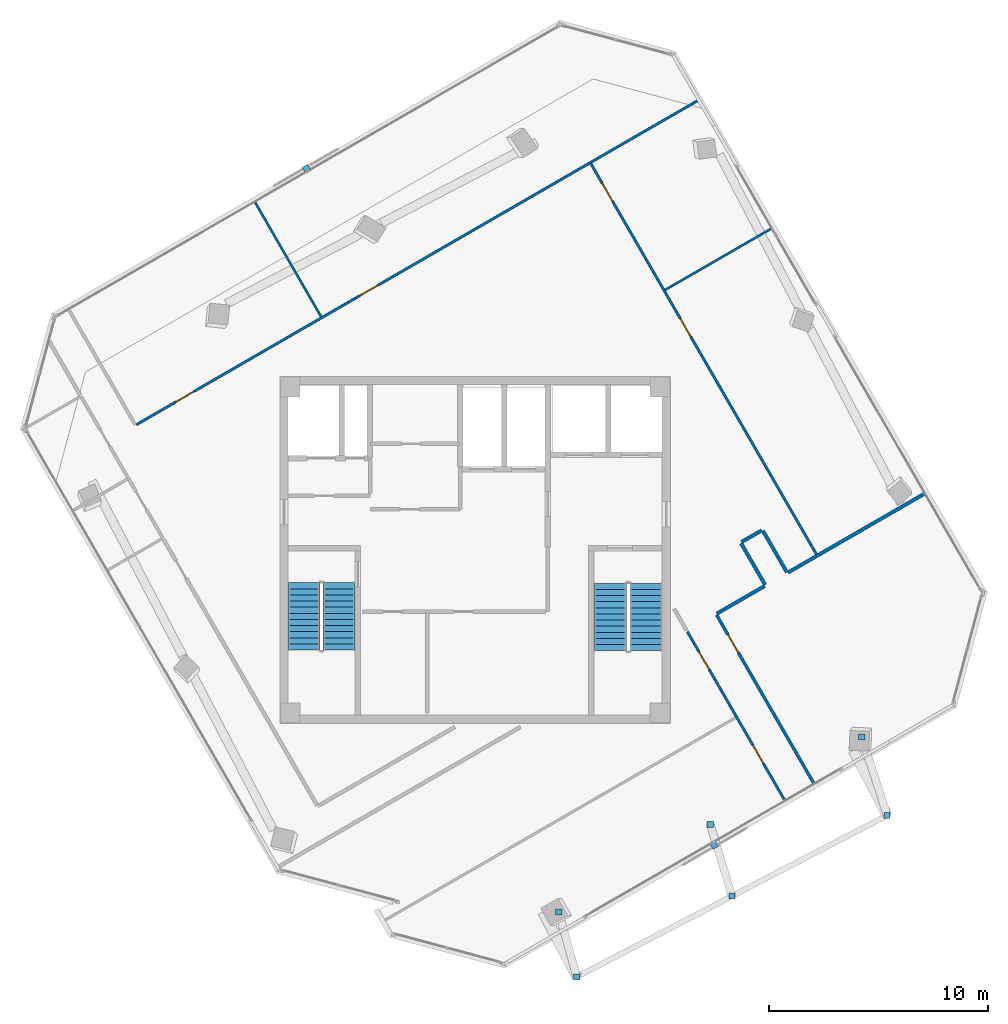
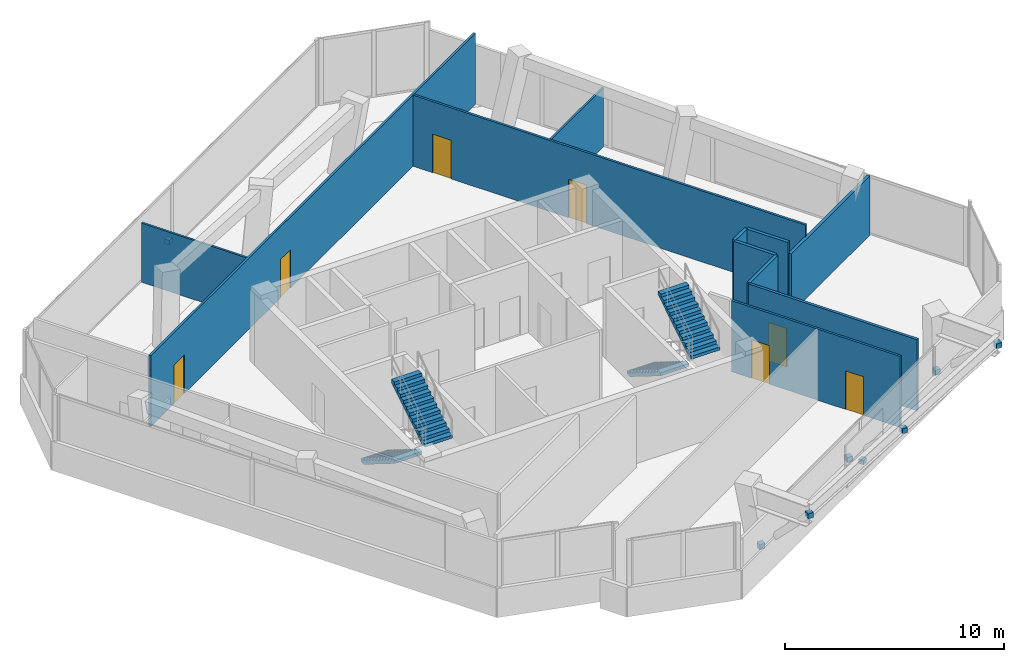
# One storey, part 12 of 15: 11 walls, 8 discrete accessories, 7 doors, 4 stair flights, 7 openings, 2 elements without a shape of their own.
"""IFC4 building model written with IfcOpenShell, lengths in metres."""

from ifc_helpers import new_model, si_unit, direction, frame, frame_2d, origin, origin_2d, place, context, subcontext, project, spatial, polyline, rectangle, outline, extrude, source, transform, mapped, material, layer, layer_set, type_object, element, fill, aggregate, save


model = new_model("IFC4")

# Units and contexts
model_context = context("Model", 3, precision=1e-05, world=origin(), true_north=direction((0.0, 1.0)))
body_context = subcontext(model_context, "Body", "Model", "MODEL_VIEW")
ifc_project = project(units=[si_unit("LENGTHUNIT", "METRE"), si_unit("AREAUNIT", "SQUARE_METRE"), si_unit("VOLUMEUNIT", "CUBIC_METRE"), si_unit("PLANEANGLEUNIT", "RADIAN"), si_unit("MASSUNIT", "GRAM", prefix="KILO")], contexts=[model_context])

# Site, building, storey
site_placement = place(None, origin())
site = spatial("IfcSite", under=ifc_project, at=site_placement, CompositionType="ELEMENT")
building_placement = place(site_placement, origin())
building = spatial("IfcBuilding", under=site, at=building_placement, Name="Torre Montelarca", CompositionType="ELEMENT")
storey_placement = place(building_placement, frame((0.0, 0.0, 324.0)))
storey = spatial("IfcBuildingStorey", under=building, at=storey_placement, Name="L73", CompositionType="ELEMENT", Elevation=324.0)

# Walls
ifc_material_1 = material(Name="Gypsum plasterboard on steel stud", Category="steel")
ifc_layer_1 = layer(ifc_material_1, 0.159912109375, Name="Gypsum plasterboard on steel stud", Category="steel")
ifc_layer_set_1 = layer_set([ifc_layer_1], Name="Gypsum plasterboard on steel stud")
wall_type_1 = type_object("IfcWallType", Name="PW-FIRE-160", PredefinedType="PARTITIONING", material=ifc_layer_set_1)
wall_1_placement = place(storey_placement, frame((29.04931640625, 29.083984375, 0.0), z_axis=(0.0, 0.0, 1.0), x_axis=(0.866013648801, 0.500020359676, 0.0)))
element("IfcWall", 1, at=wall_1_placement, inside=storey, type_object=wall_type_1, Name="L73 Interior Partition W-L73-ECN", PredefinedType="PARTITIONING", context=body_context, shape_type="SweptSolid", body=[
    extrude(rectangle(XDim=2.5302734375, YDim=0.159912109375, at=frame_2d((1.26513671875, 0.0))), origin(), (0.0, 0.0, 1.0), 3.9599609375),
])
wall_2_placement = place(storey_placement, frame((30.16015625, 32.30029296875, 0.0), z_axis=(0.0, 0.0, 1.0), x_axis=(0.499963694393, -0.866046363822, 0.0)))
element("IfcWall", 2, at=wall_2_placement, inside=storey, type_object=wall_type_1, Name="L73 Interior Partition W-L73-ECNS1", PredefinedType="PARTITIONING", context=body_context, shape_type="SweptSolid", body=[
    extrude(rectangle(XDim=2.190185546875, YDim=0.159912109375, at=frame_2d((1.09521484375, 0.0))), origin(), (0.0, 0.0, 1.0), 3.9599609375),
])
wall_3_placement = place(storey_placement, frame((30.1748046875, 32.35498046875, 0.0), z_axis=(0.0, 0.0, 1.0), x_axis=(0.866029778435, 0.499992422807, 0.0)))
element("IfcWall", 3, at=wall_3_placement, inside=storey, type_object=wall_type_1, Name="L73 Interior Partition W-L73-ECNW1", PredefinedType="PARTITIONING", context=body_context, shape_type="SweptSolid", body=[
    extrude(rectangle(XDim=1.06982421875, YDim=0.159912109375, at=frame_2d((0.534912109375, 0.0))), origin(), (0.0, 0.0, 1.0), 3.9599609375),
])
wall_4_placement = place(storey_placement, frame((31.156005859375, 32.875244140625, 0.0), z_axis=(0.0, 0.0, 1.0), x_axis=(0.499963694393, -0.866046363822, 0.0)))
element("IfcWall", 4, at=wall_4_placement, inside=storey, type_object=wall_type_1, Name="L73 Interior Partition W-L73-ECNN1", PredefinedType="PARTITIONING", context=body_context, shape_type="SweptSolid", body=[
    extrude(rectangle(XDim=2.190185546875, YDim=0.159912109375, at=frame_2d((1.09521484375, 0.0))), origin(), (0.0, 0.0, 1.0), 3.9599609375),
])
wall_5_placement = place(storey_placement, frame((32.3056640625, 30.964111328125, 0.0), z_axis=(0.0, 0.0, 1.0), x_axis=(0.866033266336, 0.499986381413, 0.0)))
element("IfcWall", 5, at=wall_5_placement, inside=storey, type_object=wall_type_1, Name="L73 Interior Partition W-L73-ECN2", PredefinedType="PARTITIONING", context=body_context, shape_type="SweptSolid", body=[
    extrude(rectangle(XDim=7.179931640625, YDim=0.159912109375, at=frame_2d((3.58984375, 0.0))), origin(), (0.0, 0.0, 1.0), 3.294921875),
])
ifc_material_2 = material(Name="Acoustic laminated glass partition", Category="glass")
ifc_layer_2 = layer(ifc_material_2, 0.10009765625, Name="Acoustic laminated glass partition", Category="glass")
ifc_layer_set_2 = layer_set([ifc_layer_2], Name="Acoustic laminated glass partition")
wall_type_2 = type_object("IfcWallType", Name="PW-GLAZ-100", PredefinedType="PARTITIONING", material=ifc_layer_set_2)
wall_6_placement = place(storey_placement, frame((26.673828125, 43.87841796875, 0.0), z_axis=(0.0, 0.0, 1.0), x_axis=(0.866026594901, 0.49999793692, 0.0)))
element("IfcWall", 6, at=wall_6_placement, inside=storey, type_object=wall_type_2, Name="L73 Interior Partition W-L73-NDIV-1", PredefinedType="PARTITIONING", context=body_context, shape_type="SweptSolid", body=[
    extrude(rectangle(XDim=5.60009765625, YDim=0.10009765625, at=frame_2d((2.800048828125, 0.0))), origin(), (0.0, 0.0, 1.0), 3.294921875),
])
wall_7_placement = place(storey_placement, frame((7.94921875, 47.870849609375, 0.0), z_axis=(0.0, 0.0, 1.0), x_axis=(0.4999841411, -0.866034559731, 0.0)))
element("IfcWall", 7, at=wall_7_placement, inside=storey, type_object=wall_type_2, Name="L73 Interior Partition W-L73-WWGD-1", PredefinedType="PARTITIONING", context=body_context, shape_type="SweptSolid", body=[
    extrude(rectangle(XDim=6.030029296875, YDim=0.10009765625, at=frame_2d((3.01513671875, 0.0))), origin(), (0.0, 0.0, 1.0), 3.294921875),
])

# Wall, openings, doors
ifc_layer_3 = layer(ifc_material_1, 0.114990234375, Name="Gypsum plasterboard on steel stud", Category="steel")
ifc_layer_set_3 = layer_set([ifc_layer_3], Name="Gypsum plasterboard on steel stud")
wall_type_3 = type_object("IfcWallType", Name="PW-PART-115", PredefinedType="PARTITIONING", material=ifc_layer_set_3)
wall_8_placement = place(storey_placement, frame((23.2841796875, 49.66943359375, 0.0), z_axis=(0.0, 0.0, 1.0), x_axis=(0.500004637929, -0.866022726058, 0.0)))
wall_8 = element("IfcWall", 8, at=wall_8_placement, inside=storey, type_object=wall_type_3, Name="L73 Interior Partition W-L73-NBOT", PredefinedType="PARTITIONING", context=body_context, shape_type="SweptSolid", body=[
    extrude(rectangle(XDim=20.670166015625, YDim=0.114990234375, at=frame_2d((10.3349609375, 0.0))), origin(), (0.0, 0.0, 1.0), 3.9599609375),
])
opening_1_placement = place(wall_8_placement, frame((1.050048828125, 0.0, 0.0)))
opening_1 = element("IfcOpeningElement", 9, at=opening_1_placement, cuts=wall_8, Name="Opening ID-095", PredefinedType="OPENING", context=body_context, shape_type="SweptSolid", body=[
    extrude(rectangle(XDim=0.949951171875, YDim=2.14990234375, at=frame_2d((0.47509765625, 1.074951171875))), frame((0.0, 0.0673828125, 0.0), z_axis=(0.0, -1.0, 0.0), x_axis=(1.0, 0.0, 0.0)), (0.0, 0.0, 1.0), 0.135009765625),
])
opening_2_placement = place(wall_8_placement, frame((8.199951171875, 0.0, 0.0)))
opening_2 = element("IfcOpeningElement", 10, at=opening_2_placement, cuts=wall_8, Name="Opening ID-095", PredefinedType="OPENING", context=body_context, shape_type="SweptSolid", body=[
    extrude(rectangle(XDim=0.949951171875, YDim=2.14990234375, at=frame_2d((0.47509765625, 1.074951171875))), frame((0.0, 0.0673828125, 0.0), z_axis=(0.0, -1.0, 0.0), x_axis=(1.0, 0.0, 0.0)), (0.0, 0.0, 1.0), 0.135009765625),
])
ifc_material_3 = material(Name="Hardwood acoustic timber veneer", Category="wood")
door_type = type_object("IfcDoorType", Name="DR-INT-095", OperationType="NOTDEFINED", PredefinedType="DOOR", material=ifc_material_3)
shared_shape_1 = source(origin(), body_context, "Body", "SweptSolid", [
    extrude(rectangle(XDim=0.949951171875, YDim=2.14990234375, at=frame_2d((0.47509765625, 1.074951171875))), frame((0.0, 0.02490234375, 0.0), z_axis=(0.0, -1.0, 0.0), x_axis=(1.0, 0.0, 0.0)), (0.0, 0.0, 1.0), 0.050048828125),
])
door_1_placement = place(opening_1_placement, origin())
door_1 = element("IfcDoor", 11, at=door_1_placement, inside=storey, type_object=door_type, Name="L73 Interior Door 09", OperationType="SINGLE_SWING_LEFT", OverallHeight=2.14990234375, OverallWidth=0.949951171875, PredefinedType="DOOR", context=body_context, shape_type="MappedRepresentation", body=[
    mapped(shared_shape_1, transform((0.0, 0.0, 0.0), scale=1.0)),
])
fill(opening_1, door_1)
door_2_placement = place(opening_2_placement, origin())
door_2 = element("IfcDoor", 12, at=door_2_placement, inside=storey, type_object=door_type, Name="L73 Interior Door 10", OperationType="SINGLE_SWING_RIGHT", OverallHeight=2.14990234375, OverallWidth=0.949951171875, PredefinedType="DOOR", context=body_context, shape_type="MappedRepresentation", body=[
    mapped(shared_shape_1, transform((0.0, 0.0, 0.0), scale=1.0)),
])
fill(opening_2, door_2)

wall_9_placement = place(storey_placement, frame((2.505615234375, 37.718994140625, 0.0), z_axis=(0.0, 0.0, 1.0), x_axis=(0.866023290802, 0.500003659775, 0.0)))
wall_9 = element("IfcWall", 13, at=wall_9_placement, inside=storey, type_object=wall_type_3, Name="L73 Interior Partition W-L73-WWGE", PredefinedType="PARTITIONING", context=body_context, shape_type="SweptSolid", body=[
    extrude(rectangle(XDim=29.610107421875, YDim=0.114990234375, at=frame_2d((14.80517578125, 0.0))), origin(), (0.0, 0.0, 1.0), 3.9599609375),
])
opening_3_placement = place(wall_9_placement, frame((2.10009765625, 0.0, 0.0)))
opening_3 = element("IfcOpeningElement", 14, at=opening_3_placement, cuts=wall_9, Name="Opening ID-095", PredefinedType="OPENING", context=body_context, shape_type="SweptSolid", body=[
    extrude(rectangle(XDim=0.949951171875, YDim=2.14990234375, at=frame_2d((0.47509765625, 1.074951171875))), frame((0.0, 0.0673828125, 0.0), z_axis=(0.0, -1.0, 0.0), x_axis=(1.0, 0.0, 0.0)), (0.0, 0.0, 1.0), 0.135009765625),
])
opening_4_placement = place(wall_9_placement, frame((11.800048828125, 0.0, 0.0)))
opening_4 = element("IfcOpeningElement", 15, at=opening_4_placement, cuts=wall_9, Name="Opening ID-095", PredefinedType="OPENING", context=body_context, shape_type="SweptSolid", body=[
    extrude(rectangle(XDim=0.949951171875, YDim=2.14990234375, at=frame_2d((0.47509765625, 1.074951171875))), frame((0.0, 0.0673828125, 0.0), z_axis=(0.0, -1.0, 0.0), x_axis=(1.0, 0.0, 0.0)), (0.0, 0.0, 1.0), 0.135009765625),
])
door_3_placement = place(opening_3_placement, origin())
door_3 = element("IfcDoor", 16, at=door_3_placement, inside=storey, type_object=door_type, Name="L73 Interior Door 11", OperationType="SINGLE_SWING_LEFT", OverallHeight=2.14990234375, OverallWidth=0.949951171875, PredefinedType="DOOR", context=body_context, shape_type="MappedRepresentation", body=[
    mapped(shared_shape_1, transform((0.0, 0.0, 0.0), scale=1.0)),
])
fill(opening_3, door_3)
door_4_placement = place(opening_4_placement, origin())
door_4 = element("IfcDoor", 17, at=door_4_placement, inside=storey, type_object=door_type, Name="L73 Interior Door 12", OperationType="SINGLE_SWING_RIGHT", OverallHeight=2.14990234375, OverallWidth=0.949951171875, PredefinedType="DOOR", context=body_context, shape_type="MappedRepresentation", body=[
    mapped(shared_shape_1, transform((0.0, 0.0, 0.0), scale=1.0)),
])
fill(opening_4, door_4)

wall_10_placement = place(storey_placement, frame((27.701171875, 28.259521484375, 0.0), z_axis=(0.0, 0.0, 1.0), x_axis=(0.499988999718, -0.866031754707, 0.0)))
wall_10 = element("IfcWall", 18, at=wall_10_placement, inside=storey, type_object=wall_type_3, Name="L73 Interior Partition W-L73-SE-N", PredefinedType="PARTITIONING", context=body_context, shape_type="SweptSolid", body=[
    extrude(rectangle(XDim=8.880126953125, YDim=0.114990234375, at=frame_2d((4.43994140625, 0.0))), origin(), (0.0, 0.0, 1.0), 3.9599609375),
])
opening_5_placement = place(wall_10_placement, frame((1.050048828125, 0.0, 0.0)))
opening_5 = element("IfcOpeningElement", 19, at=opening_5_placement, cuts=wall_10, Name="Opening ID-095", PredefinedType="OPENING", context=body_context, shape_type="SweptSolid", body=[
    extrude(rectangle(XDim=0.949951171875, YDim=2.14990234375, at=frame_2d((0.47509765625, 1.074951171875))), frame((0.0, 0.0673828125, 0.0), z_axis=(0.0, -1.0, 0.0), x_axis=(1.0, 0.0, 0.0)), (0.0, 0.0, 1.0), 0.135009765625),
])
opening_6_placement = place(wall_10_placement, frame((6.0, 0.0, 0.0)))
opening_6 = element("IfcOpeningElement", 20, at=opening_6_placement, cuts=wall_10, Name="Opening ID-095", PredefinedType="OPENING", context=body_context, shape_type="SweptSolid", body=[
    extrude(rectangle(XDim=0.949951171875, YDim=2.14990234375, at=frame_2d((0.47509765625, 1.074951171875))), frame((0.0, 0.0673828125, 0.0), z_axis=(0.0, -1.0, 0.0), x_axis=(1.0, 0.0, 0.0)), (0.0, 0.0, 1.0), 0.135009765625),
])
door_5_placement = place(opening_5_placement, origin())
door_5 = element("IfcDoor", 21, at=door_5_placement, inside=storey, type_object=door_type, Name="L73 Interior Door 14", OperationType="SINGLE_SWING_LEFT", OverallHeight=2.14990234375, OverallWidth=0.949951171875, PredefinedType="DOOR", context=body_context, shape_type="MappedRepresentation", body=[
    mapped(shared_shape_1, transform((0.0, 0.0, 0.0), scale=1.0)),
])
fill(opening_5, door_5)
door_6_placement = place(opening_6_placement, origin())
door_6 = element("IfcDoor", 22, at=door_6_placement, inside=storey, type_object=door_type, Name="L73 Interior Door 15", OperationType="SINGLE_SWING_RIGHT", OverallHeight=2.14990234375, OverallWidth=0.949951171875, PredefinedType="DOOR", context=body_context, shape_type="MappedRepresentation", body=[
    mapped(shared_shape_1, transform((0.0, 0.0, 0.0), scale=1.0)),
])
fill(opening_6, door_6)

# Wall, opening, door
ifc_layer_4 = layer(ifc_material_1, 0.135009765625, Name="Gypsum plasterboard on steel stud", Category="steel")
ifc_layer_set_4 = layer_set([ifc_layer_4], Name="Gypsum plasterboard on steel stud")
wall_type_4 = type_object("IfcWallType", Name="PW-PART-135", PredefinedType="PARTITIONING", material=ifc_layer_set_4)
wall_11_placement = place(storey_placement, frame((29.034912109375, 29.029296875, 0.0), z_axis=(0.0, 0.0, 1.0), x_axis=(0.500000904628, -0.866024881496, 0.0)))
wall_11 = element("IfcWall", 23, at=wall_11_placement, inside=storey, type_object=wall_type_4, Name="L73 Interior Partition W-L73-NE-S", PredefinedType="PARTITIONING", context=body_context, shape_type="SweptSolid", body=[
    extrude(rectangle(XDim=8.8798828125, YDim=0.135009765625, at=frame_2d((4.43994140625, 0.0))), origin(), (0.0, 0.0, 1.0), 3.9599609375),
])
opening_7_placement = place(wall_11_placement, frame((1.050048828125, 0.0, 0.0)))
opening_7 = element("IfcOpeningElement", 24, at=opening_7_placement, cuts=wall_11, Name="Opening ID-095", PredefinedType="OPENING", context=body_context, shape_type="SweptSolid", body=[
    extrude(rectangle(XDim=0.949951171875, YDim=2.14990234375, at=frame_2d((0.47509765625, 1.074951171875))), frame((0.0, 0.07763671875, 0.0), z_axis=(0.0, -1.0, 0.0), x_axis=(1.0, 0.0, 0.0)), (0.0, 0.0, 1.0), 0.155029296875),
])
door_7_placement = place(opening_7_placement, origin())
door_7 = element("IfcDoor", 25, at=door_7_placement, inside=storey, type_object=door_type, Name="L73 Interior Door 13", OperationType="SINGLE_SWING_LEFT", OverallHeight=2.14990234375, OverallWidth=0.949951171875, PredefinedType="DOOR", context=body_context, shape_type="MappedRepresentation", body=[
    mapped(shared_shape_1, transform((0.0, 0.0, 0.0), scale=1.0)),
])
fill(opening_7, door_7)

# Stair, stair flights
ifc_material_4 = material(Name="Concrete C40/50", Category="concrete")
stair_type_1 = type_object("IfcStairType", Name="ST-CORE-ST1", PredefinedType="HALF_TURN_STAIR", material=ifc_material_4)
stair_1_placement = place(storey_placement, origin())
stair_1 = element("IfcStair", 26, at=stair_1_placement, inside=storey, type_object=stair_type_1, Name="L73 Protected Exit Stair ST1", PredefinedType="HALF_TURN_STAIR")
stair_flight_type_1 = type_object("IfcStairFlightType", Name="SFL-CORE-ST1", PredefinedType="STRAIGHT", material=ifc_material_4)
stair_flight_1_placement = place(storey_placement, frame((10.175048828125, 30.5, 0.0), z_axis=(0.0, 0.0, 1.0), x_axis=(0.0, -1.0, 0.0)))
stair_flight_1 = element("IfcStairFlight", 27, at=stair_flight_1_placement, type_object=stair_flight_type_1, Name="ST1 flight 1", NumberOfRisers=12, NumberOfTreads=11, PredefinedType="STRAIGHT", RiserHeight=0.175, TreadLength=0.28, context=body_context, shape_type="SweptSolid", body=[
    extrude(outline(polyline([(0.0, 0.0), (0.0, 0.175048828125), (0.280029296875, 0.175048828125), (0.280029296875, 0.35009765625), (0.56005859375, 0.35009765625), (0.56005859375, 0.52490234375), (0.840087890625, 0.52490234375), (0.840087890625, 0.699951171875), (1.1201171875, 0.699951171875), (1.1201171875, 0.875), (1.39990234375, 0.875), (1.39990234375, 1.050048828125), (1.679931640625, 1.050048828125), (1.679931640625, 1.22509765625), (1.9599609375, 1.22509765625), (1.9599609375, 1.39990234375), (2.239990234375, 1.39990234375), (2.239990234375, 1.574951171875), (2.52001953125, 1.574951171875), (2.52001953125, 1.75), (2.800048828125, 1.75), (2.800048828125, 1.925048828125), (3.080078125, 1.925048828125), (3.080078125, 2.10009765625), (3.080078125, 1.748291015625), (0.28271484375, 0.0), (0.0, 0.0)])), frame((0.0, 0.72509765625, 0.0), z_axis=(0.0, -1.0, 0.0), x_axis=(1.0, 0.0, 0.0)), (0.0, 0.0, 1.0), 1.449951171875),
])
stair_flight_2_placement = place(storey_placement, frame((11.77490234375, 27.419921875, 2.10009765625), z_axis=(0.0, 0.0, 1.0), x_axis=(0.0, 1.0, 0.0)))
stair_flight_2 = element("IfcStairFlight", 28, at=stair_flight_2_placement, type_object=stair_flight_type_1, Name="ST1 flight 2", NumberOfRisers=12, NumberOfTreads=11, PredefinedType="STRAIGHT", RiserHeight=0.175, TreadLength=0.28, context=body_context, shape_type="SweptSolid", body=[
    extrude(outline(polyline([(0.0, 0.0), (0.0, 0.175048828125), (0.280029296875, 0.175048828125), (0.280029296875, 0.35009765625), (0.56005859375, 0.35009765625), (0.56005859375, 0.52490234375), (0.840087890625, 0.52490234375), (0.840087890625, 0.699951171875), (1.1201171875, 0.699951171875), (1.1201171875, 0.875), (1.39990234375, 0.875), (1.39990234375, 1.050048828125), (1.679931640625, 1.050048828125), (1.679931640625, 1.22509765625), (1.9599609375, 1.22509765625), (1.9599609375, 1.39990234375), (2.239990234375, 1.39990234375), (2.239990234375, 1.574951171875), (2.52001953125, 1.574951171875), (2.52001953125, 1.75), (2.800048828125, 1.75), (2.800048828125, 1.925048828125), (3.080078125, 1.925048828125), (3.080078125, 2.10009765625), (3.080078125, 1.748291015625), (0.28271484375, 0.0), (0.0, 0.0)])), frame((0.0, 0.72509765625, 0.0), z_axis=(0.0, -1.0, 0.0), x_axis=(1.0, 0.0, 0.0)), (0.0, 0.0, 1.0), 1.449951171875),
])
aggregate(stair_1, [stair_flight_1, stair_flight_2])

stair_type_2 = type_object("IfcStairType", Name="ST-CORE-ST2", PredefinedType="HALF_TURN_STAIR", material=ifc_material_4)
stair_2_placement = place(storey_placement, origin())
stair_2 = element("IfcStair", 29, at=stair_2_placement, inside=storey, type_object=stair_type_2, Name="L73 Protected Exit Stair ST2", PredefinedType="HALF_TURN_STAIR")
stair_flight_type_2 = type_object("IfcStairFlightType", Name="SFL-CORE-ST2", PredefinedType="STRAIGHT", material=ifc_material_4)
stair_flight_3_placement = place(storey_placement, frame((24.179931640625, 30.469970703125, 0.0), z_axis=(0.0, 0.0, 1.0), x_axis=(0.0, -1.0, 0.0)))
stair_flight_3 = element("IfcStairFlight", 30, at=stair_flight_3_placement, type_object=stair_flight_type_2, Name="ST2 flight 1", NumberOfRisers=12, NumberOfTreads=11, PredefinedType="STRAIGHT", RiserHeight=0.175, TreadLength=0.28, context=body_context, shape_type="SweptSolid", body=[
    extrude(outline(polyline([(0.0, 0.0), (0.0, 0.175048828125), (0.280029296875, 0.175048828125), (0.280029296875, 0.35009765625), (0.56005859375, 0.35009765625), (0.56005859375, 0.52490234375), (0.840087890625, 0.52490234375), (0.840087890625, 0.699951171875), (1.1201171875, 0.699951171875), (1.1201171875, 0.875), (1.39990234375, 0.875), (1.39990234375, 1.050048828125), (1.679931640625, 1.050048828125), (1.679931640625, 1.22509765625), (1.9599609375, 1.22509765625), (1.9599609375, 1.39990234375), (2.239990234375, 1.39990234375), (2.239990234375, 1.574951171875), (2.52001953125, 1.574951171875), (2.52001953125, 1.75), (2.800048828125, 1.75), (2.800048828125, 1.925048828125), (3.080078125, 1.925048828125), (3.080078125, 2.10009765625), (3.080078125, 1.748291015625), (0.28271484375, 0.0), (0.0, 0.0)])), frame((0.0, 0.739990234375, 0.0), z_axis=(0.0, -1.0, 0.0), x_axis=(1.0, 0.0, 0.0)), (0.0, 0.0, 1.0), 1.47998046875),
])
stair_flight_4_placement = place(storey_placement, frame((25.81005859375, 27.389892578125, 2.10009765625), z_axis=(0.0, 0.0, 1.0), x_axis=(0.0, 1.0, 0.0)))
stair_flight_4 = element("IfcStairFlight", 31, at=stair_flight_4_placement, type_object=stair_flight_type_2, Name="ST2 flight 2", NumberOfRisers=12, NumberOfTreads=11, PredefinedType="STRAIGHT", RiserHeight=0.175, TreadLength=0.28, context=body_context, shape_type="SweptSolid", body=[
    extrude(outline(polyline([(0.0, 0.0), (0.0, 0.175048828125), (0.280029296875, 0.175048828125), (0.280029296875, 0.35009765625), (0.56005859375, 0.35009765625), (0.56005859375, 0.52490234375), (0.840087890625, 0.52490234375), (0.840087890625, 0.699951171875), (1.1201171875, 0.699951171875), (1.1201171875, 0.875), (1.39990234375, 0.875), (1.39990234375, 1.050048828125), (1.679931640625, 1.050048828125), (1.679931640625, 1.22509765625), (1.9599609375, 1.22509765625), (1.9599609375, 1.39990234375), (2.239990234375, 1.39990234375), (2.239990234375, 1.574951171875), (2.52001953125, 1.574951171875), (2.52001953125, 1.75), (2.800048828125, 1.75), (2.800048828125, 1.925048828125), (3.080078125, 1.925048828125), (3.080078125, 2.10009765625), (3.080078125, 1.748291015625), (0.28271484375, 0.0), (0.0, 0.0)])), frame((0.0, 0.739990234375, 0.0), z_axis=(0.0, -1.0, 0.0), x_axis=(1.0, 0.0, 0.0)), (0.0, 0.0, 1.0), 1.47998046875),
])
aggregate(stair_2, [stair_flight_3, stair_flight_4])

# Discrete accessories
ifc_material_5 = material(Name="Stainless steel AISI 316", Category="steel")
discrete_accessory_type = type_object("IfcDiscreteAccessoryType", Name="ACC-BRACKET-SS", PredefinedType="BRACKET", material=ifc_material_5)
shared_shape_2 = source(origin(), body_context, "Body", "SweptSolid", [
    extrude(rectangle(XDim=0.280029296875, YDim=0.280029296875, at=origin_2d()), origin(), (0.0, 0.0, 1.0), 0.280029296875),
])
for number, where, z_axis, x_axis, name in (
    (32, (21.82177734375, 15.442626953125, 0.009765625), (0.0, 0.0, 1.0), (1.0, 0.0, 0.0), "L74 Raker End Connection Bracket E1-FT"),
    (33, (22.64599609375, 12.472900390625, 3.2451171875), (0.0, 0.0, 1.0), (1.0, 0.0, 0.0), "L74 Raker End Connection Bracket E1-HD"),
    (34, (28.75, 19.442626953125, 0.009765625), (0.0, 0.0, 1.0), (1.0, 0.0, 0.0), "L74 Raker End Connection Bracket E2-FT"),
    (35, (29.7421875, 16.1669921875, 3.2451171875), (0.0, 0.0, 1.0), (1.0, 0.0, 0.0), "L74 Raker End Connection Bracket E2-HD"),
    (36, (35.67822265625, 23.442626953125, 0.009765625), (0.0, 0.0, 1.0), (1.0, 0.0, 0.0), "L74 Raker End Connection Bracket E3-FT"),
    (37, (36.83837890625, 19.86083984375, 3.2451171875), (0.0, 0.0, 1.0), (1.0, 0.0, 0.0), "L74 Raker End Connection Bracket E3-HD"),
):
    element("IfcDiscreteAccessory", number, at=place(storey_placement, frame(where, z_axis=z_axis, x_axis=x_axis)), inside=storey, type_object=discrete_accessory_type, Name=name, PredefinedType="BRACKET", context=body_context, shape_type="MappedRepresentation", body=[
        mapped(shared_shape_2, transform((0.0, 0.0, 0.0), scale=1.0)),
    ])
shared_shape_3 = source(origin(), body_context, "Body", "SweptSolid", [
    extrude(rectangle(XDim=0.280029296875, YDim=0.260009765625, at=origin_2d()), origin(), (0.0, 0.0, 1.0), 0.239990234375),
])
for number, where, z_axis, x_axis, name in (
    (38, (28.932861328125, 18.48583984375, 0.39990234375), (0.0, 0.0, 1.0), (0.866025403784, 0.5, 0.0), "L73 Solar Screen Support Bracket E6-1"),
    (39, (10.27392578125, 49.444091796875, 0.39990234375), (0.0, 0.0, 1.0), (-0.866025403784, -0.5, 0.0), "L73 Solar Screen Support Bracket E10-1"),
):
    element("IfcDiscreteAccessory", number, at=place(storey_placement, frame(where, z_axis=z_axis, x_axis=x_axis)), inside=storey, type_object=discrete_accessory_type, Name=name, PredefinedType="BRACKET", context=body_context, shape_type="MappedRepresentation", body=[
        mapped(shared_shape_3, transform((0.0, 0.0, 0.0), scale=1.0)),
    ])

save(model, "model.ifc")
